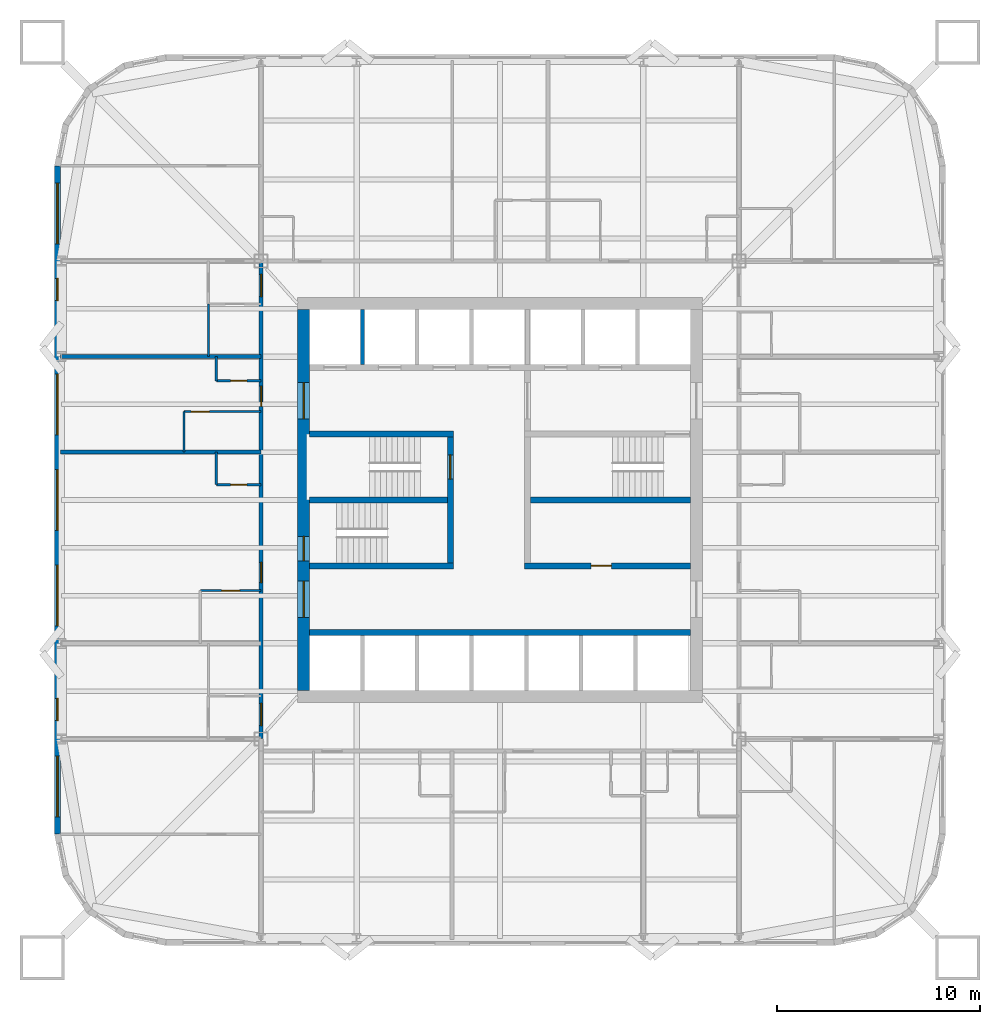
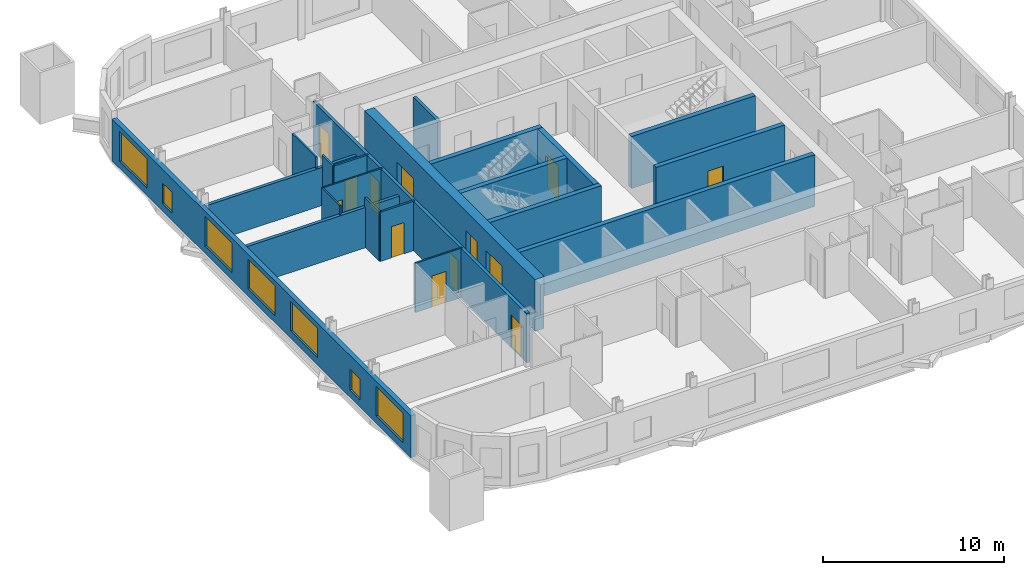
# One storey, part 4 of 9: 21 walls, 13 doors, 7 windows, 20 openings.
"""IFC4 building model written with IfcOpenShell, lengths in metres."""

from ifc_helpers import new_model, si_unit, direction, frame, frame_2d, origin, place, context, subcontext, project, spatial, rectangle, extrude, material, layer, layer_set, type_object, element, fill, save


model = new_model("IFC4")

# Units and contexts
model_context = context("Model", 3, precision=1e-05, world=origin(), true_north=direction((0.0, 1.0)))
body_context = subcontext(model_context, "Body", "Model", "MODEL_VIEW")
ifc_project = project(units=[si_unit("LENGTHUNIT", "METRE"), si_unit("AREAUNIT", "SQUARE_METRE"), si_unit("VOLUMEUNIT", "CUBIC_METRE"), si_unit("PLANEANGLEUNIT", "RADIAN"), si_unit("MASSUNIT", "GRAM", prefix="KILO")], contexts=[model_context])

# Site, building, storey
site_placement = place(None, origin())
site = spatial("IfcSite", under=ifc_project, at=site_placement, CompositionType="ELEMENT")
building_placement = place(site_placement, origin())
building = spatial("IfcBuilding", under=site, at=building_placement, Name="Turquesa Mirador Hotel Tower", CompositionType="ELEMENT")
storey_placement = place(building_placement, frame((0.0, 0.0, 67.0)))
storey = spatial("IfcBuildingStorey", under=building, at=storey_placement, Name="L17", CompositionType="ELEMENT", Elevation=67.0)

# Wall, opening, door
ifc_material_1 = material(Name="Gypsum board on steel studs", Category="steel")
ifc_layer_1 = layer(ifc_material_1, 0.10009765625)
ifc_layer_set_1 = layer_set([ifc_layer_1], Name="BATHROOM WALL 100")
wall_type_1 = type_object("IfcWallType", Name="BATHROOM WALL 100", PredefinedType="PARTITIONING", material=ifc_layer_set_1)
wall_1_placement = place(storey_placement, frame((40.199951171875, 40.52001953125, 0.0), z_axis=(0.0, 0.0, 1.0), x_axis=(1.0, 0.0, 0.0)))
wall_1 = element("IfcWall", 1, at=wall_1_placement, inside=storey, type_object=wall_type_1, Name="Partition L17 013", PredefinedType="PARTITIONING", context=body_context, shape_type="SweptSolid", body=[
    extrude(rectangle(XDim=3.0, YDim=0.10009765625, at=frame_2d((1.5, 0.0))), origin(), (0.0, 0.0, 1.0), 3.330078125),
])
opening_1_placement = place(wall_1_placement, frame((1.050048828125, 0.0, 0.0)))
opening_1 = element("IfcOpeningElement", 2, at=opening_1_placement, cuts=wall_1, Name="Opening D02", PredefinedType="OPENING", context=body_context, shape_type="SweptSolid", body=[
    extrude(rectangle(XDim=0.89990234375, YDim=2.10009765625, at=frame_2d((0.449951171875, 1.050048828125))), frame((0.0, 0.06005859375, 0.0), z_axis=(0.0, -1.0, 0.0), x_axis=(1.0, 0.0, 0.0)), (0.0, 0.0, 1.0), 0.1201171875),
])
ifc_material_2 = material(Name="Timber veneered door", Category="wood")
door_type_1 = type_object("IfcDoorType", Name="DOOR 900X2100 EN-SUITE", OperationType="SINGLE_SWING_RIGHT", PredefinedType="DOOR", material=ifc_material_2)
door_1_placement = place(opening_1_placement, origin())
door_1 = element("IfcDoor", 3, at=door_1_placement, inside=storey, type_object=door_type_1, Name="Door 1708B", OperationType="SINGLE_SWING_RIGHT", OverallHeight=2.10009765625, OverallWidth=0.89990234375, PredefinedType="DOOR", context=body_context, shape_type="SweptSolid", body=[
    extrude(rectangle(XDim=0.89990234375, YDim=2.10009765625, at=frame_2d((0.449951171875, 1.050048828125))), frame((0.0, 0.02490234375, 0.0), z_axis=(0.0, -1.0, 0.0), x_axis=(1.0, 0.0, 0.0)), (0.0, 0.0, 1.0), 0.050048828125),
])
fill(opening_1, door_1)

wall_2_placement = place(storey_placement, frame((39.39990234375, 49.360107421875, 0.0), z_axis=(0.0, 0.0, 1.0), x_axis=(1.0, 0.0, 0.0)))
wall_2 = element("IfcWall", 4, at=wall_2_placement, inside=storey, type_object=wall_type_1, Name="Partition L17 032", PredefinedType="PARTITIONING", context=body_context, shape_type="SweptSolid", body=[
    extrude(rectangle(XDim=3.800048828125, YDim=0.10009765625, at=frame_2d((1.89990234375, 0.0))), origin(), (0.0, 0.0, 1.0), 3.330078125),
])
opening_2_placement = place(wall_2_placement, frame((0.35009765625, 0.0, 0.0)))
opening_2 = element("IfcOpeningElement", 5, at=opening_2_placement, cuts=wall_2, Name="Opening D02", PredefinedType="OPENING", context=body_context, shape_type="SweptSolid", body=[
    extrude(rectangle(XDim=0.89990234375, YDim=2.10009765625, at=frame_2d((0.449951171875, 1.050048828125))), frame((0.0, 0.06005859375, 0.0), z_axis=(0.0, -1.0, 0.0), x_axis=(1.0, 0.0, 0.0)), (0.0, 0.0, 1.0), 0.1201171875),
])
door_2_placement = place(opening_2_placement, origin())
door_2 = element("IfcDoor", 6, at=door_2_placement, inside=storey, type_object=door_type_1, Name="Door 1709B", OperationType="SINGLE_SWING_RIGHT", OverallHeight=2.10009765625, OverallWidth=0.89990234375, PredefinedType="DOOR", context=body_context, shape_type="SweptSolid", body=[
    extrude(rectangle(XDim=0.89990234375, YDim=2.10009765625, at=frame_2d((0.449951171875, 1.050048828125))), frame((0.0, 0.02490234375, 0.0), z_axis=(0.0, -1.0, 0.0), x_axis=(1.0, 0.0, 0.0)), (0.0, 0.0, 1.0), 0.050048828125),
])
fill(opening_2, door_2)

# Walls
wall_3_placement = place(storey_placement, frame((40.60009765625, 52.080078125, 0.0), z_axis=(0.0, 0.0, 1.0), x_axis=(0.0, 1.0, 0.0)))
element("IfcWall", 7, at=wall_3_placement, inside=storey, type_object=wall_type_1, Name="Partition L17 047", PredefinedType="PARTITIONING", context=body_context, shape_type="SweptSolid", body=[
    extrude(rectangle(XDim=2.599853515625, YDim=0.10009765625, at=frame_2d((1.2998046875, 0.0))), origin(), (0.0, 0.0, 1.0), 3.330078125),
])
wall_4_placement = place(storey_placement, frame((39.39990234375, 47.360107421875, 0.0), z_axis=(0.0, 0.0, 1.0), x_axis=(0.0, 1.0, 0.0)))
element("IfcWall", 8, at=wall_4_placement, inside=storey, type_object=wall_type_1, Name="Partition L17 051", PredefinedType="PARTITIONING", context=body_context, shape_type="SweptSolid", body=[
    extrude(rectangle(XDim=2.0, YDim=0.10009765625, at=frame_2d((1.0, 0.0))), origin(), (0.0, 0.0, 1.0), 3.330078125),
])
ifc_material_3 = material(Name="Concrete C50/60", Category="concrete")
ifc_layer_2 = layer(ifc_material_3, 0.300048828125)
ifc_layer_set_2 = layer_set([ifc_layer_2], Name="CORE INNER WALL 300")
wall_type_2 = type_object("IfcWallType", Name="CORE INNER WALL 300", PredefinedType="SHEAR", material=ifc_layer_set_2)
wall_5_placement = place(storey_placement, frame((45.60009765625, 38.449951171875, 0.0), z_axis=(0.0, 0.0, 1.0), x_axis=(1.0, 0.0, 0.0)))
element("IfcWall", 9, at=wall_5_placement, inside=storey, type_object=wall_type_2, Name="Core wall SL", PredefinedType="SHEAR", context=body_context, shape_type="SweptSolid", body=[
    extrude(rectangle(XDim=18.7998046875, YDim=0.300048828125, at=frame_2d((9.39990234375, 0.0))), origin(), (0.0, 0.0, 1.0), 3.5),
])
for number, where, z_axis, x_axis, name in (
    (10, (45.60009765625, 48.25, 0.0), (0.0, 0.0, 1.0), (1.0, 0.0, 0.0), "Core wall MN-W"),
    (11, (45.60009765625, 41.75, 0.0), (0.0, 0.0, 1.0), (1.0, 0.0, 0.0), "Core wall MS-W"),
):
    element("IfcWall", number, at=place(storey_placement, frame(where, z_axis=z_axis, x_axis=x_axis)), inside=storey, type_object=wall_type_2, Name=name, PredefinedType="SHEAR", context=body_context, shape_type="SweptSolid", body=[
        extrude(rectangle(XDim=7.099853515625, YDim=0.300048828125, at=frame_2d((3.5498046875, 0.0))), origin(), (0.0, 0.0, 1.0), 3.5),
    ])

# Wall, opening, door
wall_6_placement = place(storey_placement, frame((56.199951171875, 41.75, 0.0), z_axis=(0.0, 0.0, 1.0), x_axis=(1.0, 0.0, 0.0)))
wall_6 = element("IfcWall", 12, at=wall_6_placement, inside=storey, type_object=wall_type_2, Name="Core wall MS-E", PredefinedType="SHEAR", context=body_context, shape_type="SweptSolid", body=[
    extrude(rectangle(XDim=8.199951171875, YDim=0.300048828125, at=frame_2d((4.10009765625, 0.0))), origin(), (0.0, 0.0, 1.0), 3.5),
])
opening_3_placement = place(wall_6_placement, frame((3.300048828125, 0.0, 0.0)))
opening_3 = element("IfcOpeningElement", 13, at=opening_3_placement, cuts=wall_6, Name="Opening D05", PredefinedType="OPENING", context=body_context, shape_type="SweptSolid", body=[
    extrude(rectangle(XDim=1.0, YDim=2.10009765625, at=frame_2d((0.5, 1.050048828125))), frame((0.0, 0.159912109375, 0.0), z_axis=(0.0, -1.0, 0.0), x_axis=(1.0, 0.0, 0.0)), (0.0, 0.0, 1.0), 0.320068359375),
])
ifc_material_4 = material(Name="Steel fire door", Category="steel")
door_type_2 = type_object("IfcDoorType", Name="DOOR 1000X2100 SERVICE", OperationType="SINGLE_SWING_LEFT", PredefinedType="DOOR", material=ifc_material_4)
door_3_placement = place(opening_3_placement, origin())
door_3 = element("IfcDoor", 14, at=door_3_placement, inside=storey, type_object=door_type_2, Name="Housekeeping room door", OperationType="SINGLE_SWING_LEFT", OverallHeight=2.10009765625, OverallWidth=1.0, PredefinedType="DOOR", context=body_context, shape_type="SweptSolid", body=[
    extrude(rectangle(XDim=1.0, YDim=2.10009765625, at=frame_2d((0.5, 1.050048828125))), frame((0.0, 0.02490234375, 0.0), z_axis=(0.0, -1.0, 0.0), x_axis=(1.0, 0.0, 0.0)), (0.0, 0.0, 1.0), 0.050048828125),
])
fill(opening_3, door_3)

wall_7_placement = place(storey_placement, frame((52.550048828125, 41.89990234375, 0.0), z_axis=(0.0, 0.0, 1.0), x_axis=(0.0, 1.0, 0.0)))
wall_7 = element("IfcWall", 15, at=wall_7_placement, inside=storey, type_object=wall_type_2, Name="Core wall PW", PredefinedType="SHEAR", context=body_context, shape_type="SweptSolid", body=[
    extrude(rectangle(XDim=6.2001953125, YDim=0.300048828125, at=frame_2d((3.10009765625, 0.0))), origin(), (0.0, 0.0, 1.0), 3.5),
])
opening_4_placement = place(wall_7_placement, frame((4.125, 0.0, 0.0)))
opening_4 = element("IfcOpeningElement", 16, at=opening_4_placement, cuts=wall_7, Name="Opening D03", PredefinedType="OPENING", context=body_context, shape_type="SweptSolid", body=[
    extrude(rectangle(XDim=1.199951171875, YDim=2.199951171875, at=frame_2d((0.60009765625, 1.10009765625))), frame((0.0, 0.159912109375, 0.0), z_axis=(0.0, -1.0, 0.0), x_axis=(1.0, 0.0, 0.0)), (0.0, 0.0, 1.0), 0.320068359375),
])
ifc_material_5 = material(Name="Steel fire door", Category="steel")
door_type_3 = type_object("IfcDoorType", Name="DOOR 1200X2200 STAIR", OperationType="SINGLE_SWING_LEFT", PredefinedType="DOOR", material=ifc_material_5)
door_4_placement = place(opening_4_placement, origin())
door_4 = element("IfcDoor", 17, at=door_4_placement, inside=storey, type_object=door_type_3, Name="Stair ST1 door", OperationType="SINGLE_SWING_LEFT", OverallHeight=2.199951171875, OverallWidth=1.199951171875, PredefinedType="DOOR", context=body_context, shape_type="SweptSolid", body=[
    extrude(rectangle(XDim=1.199951171875, YDim=2.199951171875, at=frame_2d((0.60009765625, 1.10009765625))), frame((0.0, 0.02490234375, 0.0), z_axis=(0.0, -1.0, 0.0), x_axis=(1.0, 0.0, 0.0)), (0.0, 0.0, 1.0), 0.050048828125),
])
fill(opening_4, door_4)

# Walls
wall_8_placement = place(storey_placement, frame((45.60009765625, 45.0, 0.0), z_axis=(0.0, 0.0, 1.0), x_axis=(1.0, 0.0, 0.0)))
element("IfcWall", 18, at=wall_8_placement, inside=storey, type_object=wall_type_2, Name="Core wall M0-W", PredefinedType="SHEAR", context=body_context, shape_type="SweptSolid", body=[
    extrude(rectangle(XDim=6.7998046875, YDim=0.300048828125, at=frame_2d((3.39990234375, 0.0))), origin(), (0.0, 0.0, 1.0), 3.5),
])
wall_9_placement = place(storey_placement, frame((56.5, 45.0, 0.0), z_axis=(0.0, 0.0, 1.0), x_axis=(1.0, 0.0, 0.0)))
element("IfcWall", 19, at=wall_9_placement, inside=storey, type_object=wall_type_2, Name="Core wall M0-E", PredefinedType="SHEAR", context=body_context, shape_type="SweptSolid", body=[
    extrude(rectangle(XDim=7.89990234375, YDim=0.300048828125, at=frame_2d((3.949951171875, 0.0))), origin(), (0.0, 0.0, 1.0), 3.5),
])

# Wall, openings, doors
ifc_material_6 = material(Name="Concrete C50/60", Category="concrete")
ifc_layer_3 = layer(ifc_material_6, 0.60009765625)
ifc_layer_set_3 = layer_set([ifc_layer_3], Name="CORE WALL 600")
wall_type_3 = type_object("IfcWallType", Name="CORE WALL 600", PredefinedType="SHEAR", material=ifc_layer_set_3)
wall_10_placement = place(storey_placement, frame((45.300048828125, 35.60009765625, 0.0), z_axis=(0.0, 0.0, 1.0), x_axis=(0.0, 1.0, 0.0)))
wall_10 = element("IfcWall", 20, at=wall_10_placement, inside=storey, type_object=wall_type_3, Name="Core wall W", PredefinedType="SHEAR", context=body_context, shape_type="SweptSolid", body=[
    extrude(rectangle(XDim=18.7998046875, YDim=0.60009765625, at=frame_2d((9.39990234375, 0.0))), origin(), (0.0, 0.0, 1.0), 3.5),
])
opening_5_placement = place(wall_10_placement, frame((13.39990234375, 0.0, 0.0)))
opening_5 = element("IfcOpeningElement", 21, at=opening_5_placement, cuts=wall_10, Name="Opening D04", PredefinedType="OPENING", context=body_context, shape_type="SweptSolid", body=[
    extrude(rectangle(XDim=1.800048828125, YDim=2.199951171875, at=frame_2d((0.89990234375, 1.10009765625))), frame((0.0, 0.31005859375, 0.0), z_axis=(0.0, -1.0, 0.0), x_axis=(1.0, 0.0, 0.0)), (0.0, 0.0, 1.0), 0.6201171875),
])
opening_6_placement = place(wall_10_placement, frame((3.60009765625, 0.0, 0.0)))
opening_6 = element("IfcOpeningElement", 22, at=opening_6_placement, cuts=wall_10, Name="Opening D04", PredefinedType="OPENING", context=body_context, shape_type="SweptSolid", body=[
    extrude(rectangle(XDim=1.800048828125, YDim=2.199951171875, at=frame_2d((0.89990234375, 1.10009765625))), frame((0.0, 0.31005859375, 0.0), z_axis=(0.0, -1.0, 0.0), x_axis=(1.0, 0.0, 0.0)), (0.0, 0.0, 1.0), 0.6201171875),
])
opening_7_placement = place(wall_10_placement, frame((6.39990234375, 0.0, 0.0)))
opening_7 = element("IfcOpeningElement", 23, at=opening_7_placement, cuts=wall_10, Name="Opening D03", PredefinedType="OPENING", context=body_context, shape_type="SweptSolid", body=[
    extrude(rectangle(XDim=1.199951171875, YDim=2.199951171875, at=frame_2d((0.60009765625, 1.10009765625))), frame((0.0, 0.31005859375, 0.0), z_axis=(0.0, -1.0, 0.0), x_axis=(1.0, 0.0, 0.0)), (0.0, 0.0, 1.0), 0.6201171875),
])
door_5_placement = place(opening_7_placement, origin())
door_5 = element("IfcDoor", 24, at=door_5_placement, inside=storey, type_object=door_type_3, Name="Stair ST2 door", OperationType="SINGLE_SWING_LEFT", OverallHeight=2.199951171875, OverallWidth=1.199951171875, PredefinedType="DOOR", context=body_context, shape_type="SweptSolid", body=[
    extrude(rectangle(XDim=1.199951171875, YDim=2.199951171875, at=frame_2d((0.60009765625, 1.10009765625))), frame((0.0, 0.02490234375, 0.0), z_axis=(0.0, -1.0, 0.0), x_axis=(1.0, 0.0, 0.0)), (0.0, 0.0, 1.0), 0.050048828125),
])
fill(opening_7, door_5)
ifc_material_7 = material(Name="Steel fire door pair", Category="steel")
door_type_4 = type_object("IfcDoorType", Name="DOOR 1800X2200 PAIR", OperationType="DOUBLE_DOOR_SINGLE_SWING", PredefinedType="DOOR", material=ifc_material_7)
door_6_placement = place(opening_5_placement, origin())
door_6 = element("IfcDoor", 25, at=door_6_placement, inside=storey, type_object=door_type_4, Name="North lift lobby door", OperationType="DOUBLE_DOOR_SINGLE_SWING", OverallHeight=2.199951171875, OverallWidth=1.800048828125, PredefinedType="DOOR", context=body_context, shape_type="SweptSolid", body=[
    extrude(rectangle(XDim=1.800048828125, YDim=2.199951171875, at=frame_2d((0.89990234375, 1.10009765625))), frame((0.0, 0.02490234375, 0.0), z_axis=(0.0, -1.0, 0.0), x_axis=(1.0, 0.0, 0.0)), (0.0, 0.0, 1.0), 0.050048828125),
])
fill(opening_5, door_6)
door_7_placement = place(opening_6_placement, origin())
door_7 = element("IfcDoor", 26, at=door_7_placement, inside=storey, type_object=door_type_4, Name="South lift lobby door", OperationType="DOUBLE_DOOR_SINGLE_SWING", OverallHeight=2.199951171875, OverallWidth=1.800048828125, PredefinedType="DOOR", context=body_context, shape_type="SweptSolid", body=[
    extrude(rectangle(XDim=1.800048828125, YDim=2.199951171875, at=frame_2d((0.89990234375, 1.10009765625))), frame((0.0, 0.02490234375, 0.0), z_axis=(0.0, -1.0, 0.0), x_axis=(1.0, 0.0, 0.0)), (0.0, 0.0, 1.0), 0.050048828125),
])
fill(opening_6, door_7)

ifc_material_8 = material(Name="Fire-rated gypsum board on steel studs", Category="steel")
ifc_layer_4 = layer(ifc_material_8, 0.199951171875)
ifc_layer_set_4 = layer_set([ifc_layer_4], Name="CORRIDOR WALL 200")
wall_type_4 = type_object("IfcWallType", Name="CORRIDOR WALL 200", PredefinedType="PARTITIONING", material=ifc_layer_set_4)
wall_11_placement = place(storey_placement, frame((43.199951171875, 33.219970703125, 0.0), z_axis=(0.0, 0.0, 1.0), x_axis=(0.0, 1.0, 0.0)))
wall_11 = element("IfcWall", 27, at=wall_11_placement, inside=storey, type_object=wall_type_4, Name="Partition L17 041", PredefinedType="PARTITIONING", context=body_context, shape_type="SweptSolid", body=[
    extrude(rectangle(XDim=23.580078125, YDim=0.199951171875, at=frame_2d((11.7900390625, 0.0))), origin(), (0.0, 0.0, 1.0), 3.330078125),
])
opening_8_placement = place(wall_11_placement, frame((7.699951171875, 0.0, 0.0)))
opening_8 = element("IfcOpeningElement", 28, at=opening_8_placement, cuts=wall_11, Name="Opening D01", PredefinedType="OPENING", context=body_context, shape_type="SweptSolid", body=[
    extrude(rectangle(XDim=1.0, YDim=2.199951171875, at=frame_2d((0.5, 1.10009765625))), frame((0.0, 0.10986328125, 0.0), z_axis=(0.0, -1.0, 0.0), x_axis=(1.0, 0.0, 0.0)), (0.0, 0.0, 1.0), 0.219970703125),
])
opening_9_placement = place(wall_11_placement, frame((16.39990234375, 0.0, 0.0)))
opening_9 = element("IfcOpeningElement", 29, at=opening_9_placement, cuts=wall_11, Name="Opening D01", PredefinedType="OPENING", context=body_context, shape_type="SweptSolid", body=[
    extrude(rectangle(XDim=1.0, YDim=2.199951171875, at=frame_2d((0.5, 1.10009765625))), frame((0.0, 0.10986328125, 0.0), z_axis=(0.0, -1.0, 0.0), x_axis=(1.0, 0.0, 0.0)), (0.0, 0.0, 1.0), 0.219970703125),
])
opening_10_placement = place(wall_11_placement, frame((21.820068359375, 0.0, 0.0)))
opening_10 = element("IfcOpeningElement", 30, at=opening_10_placement, cuts=wall_11, Name="Opening D15", PredefinedType="OPENING", context=body_context, shape_type="SweptSolid", body=[
    extrude(rectangle(XDim=1.10009765625, YDim=2.199951171875, at=frame_2d((0.550048828125, 1.10009765625))), frame((0.0, 0.10986328125, 0.0), z_axis=(0.0, -1.0, 0.0), x_axis=(1.0, 0.0, 0.0)), (0.0, 0.0, 1.0), 0.219970703125),
])
opening_11_placement = place(wall_11_placement, frame((0.639892578125, 0.0, 0.0)))
opening_11 = element("IfcOpeningElement", 31, at=opening_11_placement, cuts=wall_11, Name="Opening D15", PredefinedType="OPENING", context=body_context, shape_type="SweptSolid", body=[
    extrude(rectangle(XDim=1.10009765625, YDim=2.199951171875, at=frame_2d((0.550048828125, 1.10009765625))), frame((0.0, 0.10986328125, 0.0), z_axis=(0.0, -1.0, 0.0), x_axis=(1.0, 0.0, 0.0)), (0.0, 0.0, 1.0), 0.219970703125),
])
ifc_material_9 = material(Name="Timber veneered fire door", Category="wood")
door_type_5 = type_object("IfcDoorType", Name="DOOR 1000X2200 GUEST ENTRY", OperationType="SINGLE_SWING_LEFT", PredefinedType="DOOR", material=ifc_material_9)
door_8_placement = place(opening_8_placement, origin())
door_8 = element("IfcDoor", 32, at=door_8_placement, inside=storey, type_object=door_type_5, Name="Door 1708", OperationType="SINGLE_SWING_LEFT", OverallHeight=2.199951171875, OverallWidth=1.0, PredefinedType="DOOR", context=body_context, shape_type="SweptSolid", body=[
    extrude(rectangle(XDim=1.0, YDim=2.199951171875, at=frame_2d((0.5, 1.10009765625))), frame((0.0, 0.02490234375, 0.0), z_axis=(0.0, -1.0, 0.0), x_axis=(1.0, 0.0, 0.0)), (0.0, 0.0, 1.0), 0.050048828125),
])
fill(opening_8, door_8)
door_9_placement = place(opening_9_placement, origin())
door_9 = element("IfcDoor", 33, at=door_9_placement, inside=storey, type_object=door_type_5, Name="Door 1709", OperationType="SINGLE_SWING_LEFT", OverallHeight=2.199951171875, OverallWidth=1.0, PredefinedType="DOOR", context=body_context, shape_type="SweptSolid", body=[
    extrude(rectangle(XDim=1.0, YDim=2.199951171875, at=frame_2d((0.5, 1.10009765625))), frame((0.0, 0.02490234375, 0.0), z_axis=(0.0, -1.0, 0.0), x_axis=(1.0, 0.0, 0.0)), (0.0, 0.0, 1.0), 0.050048828125),
])
fill(opening_9, door_9)
ifc_material_10 = material(Name="Timber veneered fire door", Category="wood")
door_type_6 = type_object("IfcDoorType", Name="DOOR 1100X2200 SUITE ENTRY", OperationType="SINGLE_SWING_LEFT", PredefinedType="DOOR", material=ifc_material_10)
door_10_placement = place(opening_10_placement, origin())
door_10 = element("IfcDoor", 34, at=door_10_placement, inside=storey, type_object=door_type_6, Name="Door 1711H", OperationType="SINGLE_SWING_LEFT", OverallHeight=2.199951171875, OverallWidth=1.10009765625, PredefinedType="DOOR", context=body_context, shape_type="SweptSolid", body=[
    extrude(rectangle(XDim=1.10009765625, YDim=2.199951171875, at=frame_2d((0.550048828125, 1.10009765625))), frame((0.0, 0.02490234375, 0.0), z_axis=(0.0, -1.0, 0.0), x_axis=(1.0, 0.0, 0.0)), (0.0, 0.0, 1.0), 0.050048828125),
])
fill(opening_10, door_10)
door_11_placement = place(opening_11_placement, origin())
door_11 = element("IfcDoor", 35, at=door_11_placement, inside=storey, type_object=door_type_6, Name="Door 1712H", OperationType="SINGLE_SWING_LEFT", OverallHeight=2.199951171875, OverallWidth=1.10009765625, PredefinedType="DOOR", context=body_context, shape_type="SweptSolid", body=[
    extrude(rectangle(XDim=1.10009765625, YDim=2.199951171875, at=frame_2d((0.550048828125, 1.10009765625))), frame((0.0, 0.02490234375, 0.0), z_axis=(0.0, -1.0, 0.0), x_axis=(1.0, 0.0, 0.0)), (0.0, 0.0, 1.0), 0.050048828125),
])
fill(opening_11, door_11)

# Wall, openings, windows
ifc_material_11 = material(Name="Limestone cladding on concrete block", Category="masonry")
ifc_layer_5 = layer(ifc_material_11, 0.300048828125)
ifc_layer_set_5 = layer_set([ifc_layer_5], Name="FACADE WALL 300 STONE SCREEN")
wall_type_5 = type_object("IfcWallType", Name="FACADE WALL 300 STONE SCREEN", PredefinedType="SOLIDWALL", material=ifc_layer_set_5)
wall_12_placement = place(storey_placement, frame((33.14990234375, 61.5, 0.0), z_axis=(0.0, 0.0, 1.0), x_axis=(0.0, -1.0, 0.0)))
wall_12 = element("IfcWall", 36, at=wall_12_placement, inside=storey, type_object=wall_type_5, Name="Facade wall L17 14", PredefinedType="SOLIDWALL", context=body_context, shape_type="SweptSolid", body=[
    extrude(rectangle(XDim=33.0, YDim=0.300048828125, at=frame_2d((16.5, 0.0))), origin(), (0.0, 0.0, 1.0), 2.830078125),
])
opening_12_placement = place(wall_12_placement, frame((0.85009765625, 0.0, 0.5)))
opening_12 = element("IfcOpeningElement", 37, at=opening_12_placement, cuts=wall_12, Name="Opening WN1", PredefinedType="OPENING", context=body_context, shape_type="SweptSolid", body=[
    extrude(rectangle(XDim=3.0, YDim=2.0, at=frame_2d((1.5, 1.0))), frame((0.0, 0.159912109375, 0.0), z_axis=(0.0, -1.0, 0.0), x_axis=(1.0, 0.0, 0.0)), (0.0, 0.0, 1.0), 0.320068359375),
])
opening_13_placement = place(wall_12_placement, frame((5.56005859375, 0.0, 0.5)))
opening_13 = element("IfcOpeningElement", 38, at=opening_13_placement, cuts=wall_12, Name="Opening WN37", PredefinedType="OPENING", context=body_context, shape_type="SweptSolid", body=[
    extrude(rectangle(XDim=1.10009765625, YDim=1.39990234375, at=frame_2d((0.550048828125, 0.699951171875))), frame((0.0, 0.159912109375, 0.0), z_axis=(0.0, -1.0, 0.0), x_axis=(1.0, 0.0, 0.0)), (0.0, 0.0, 1.0), 0.320068359375),
])
opening_14_placement = place(wall_12_placement, frame((10.280029296875, 0.0, 0.5)))
opening_14 = element("IfcOpeningElement", 39, at=opening_14_placement, cuts=wall_12, Name="Opening WN1", PredefinedType="OPENING", context=body_context, shape_type="SweptSolid", body=[
    extrude(rectangle(XDim=3.0, YDim=2.0, at=frame_2d((1.5, 1.0))), frame((0.0, 0.159912109375, 0.0), z_axis=(0.0, -1.0, 0.0), x_axis=(1.0, 0.0, 0.0)), (0.0, 0.0, 1.0), 0.320068359375),
])
opening_15_placement = place(wall_12_placement, frame((15.0, 0.0, 0.5)))
opening_15 = element("IfcOpeningElement", 40, at=opening_15_placement, cuts=wall_12, Name="Opening WN1", PredefinedType="OPENING", context=body_context, shape_type="SweptSolid", body=[
    extrude(rectangle(XDim=3.0, YDim=2.0, at=frame_2d((1.5, 1.0))), frame((0.0, 0.159912109375, 0.0), z_axis=(0.0, -1.0, 0.0), x_axis=(1.0, 0.0, 0.0)), (0.0, 0.0, 1.0), 0.320068359375),
])
opening_16_placement = place(wall_12_placement, frame((19.719970703125, 0.0, 0.5)))
opening_16 = element("IfcOpeningElement", 41, at=opening_16_placement, cuts=wall_12, Name="Opening WN1", PredefinedType="OPENING", context=body_context, shape_type="SweptSolid", body=[
    extrude(rectangle(XDim=3.0, YDim=2.0, at=frame_2d((1.5, 1.0))), frame((0.0, 0.159912109375, 0.0), z_axis=(0.0, -1.0, 0.0), x_axis=(1.0, 0.0, 0.0)), (0.0, 0.0, 1.0), 0.320068359375),
])
opening_17_placement = place(wall_12_placement, frame((26.2900390625, 0.0, 0.5)))
opening_17 = element("IfcOpeningElement", 42, at=opening_17_placement, cuts=wall_12, Name="Opening WN37", PredefinedType="OPENING", context=body_context, shape_type="SweptSolid", body=[
    extrude(rectangle(XDim=1.10009765625, YDim=1.39990234375, at=frame_2d((0.550048828125, 0.699951171875))), frame((0.0, 0.159912109375, 0.0), z_axis=(0.0, -1.0, 0.0), x_axis=(1.0, 0.0, 0.0)), (0.0, 0.0, 1.0), 0.320068359375),
])
opening_18_placement = place(wall_12_placement, frame((29.14990234375, 0.0, 0.5)))
opening_18 = element("IfcOpeningElement", 43, at=opening_18_placement, cuts=wall_12, Name="Opening WN1", PredefinedType="OPENING", context=body_context, shape_type="SweptSolid", body=[
    extrude(rectangle(XDim=3.0, YDim=2.0, at=frame_2d((1.5, 1.0))), frame((0.0, 0.159912109375, 0.0), z_axis=(0.0, -1.0, 0.0), x_axis=(1.0, 0.0, 0.0)), (0.0, 0.0, 1.0), 0.320068359375),
])
ifc_material_12 = material(Name="Ceramic-fritted laminated glass", Category="glass")
window_type_1 = type_object("IfcWindowType", Name="FRITTED WINDOW 1100X1400", PartitioningType="DOUBLE_PANEL_HORIZONTAL", PredefinedType="WINDOW", material=ifc_material_12)
window_1_placement = place(opening_13_placement, origin())
window_1 = element("IfcWindow", 44, at=window_1_placement, inside=storey, type_object=window_type_1, Name="Window L17", OverallHeight=1.39990234375, OverallWidth=1.10009765625, PartitioningType="SINGLE_PANEL", PredefinedType="WINDOW", context=body_context, shape_type="SweptSolid", body=[
    extrude(rectangle(XDim=1.10009765625, YDim=1.39990234375, at=frame_2d((0.550048828125, 0.699951171875))), frame((0.0, 0.030029296875, 0.0), z_axis=(0.0, -1.0, 0.0), x_axis=(1.0, 0.0, 0.0)), (0.0, 0.0, 1.0), 0.06005859375),
])
fill(opening_13, window_1)
window_2_placement = place(opening_17_placement, origin())
window_2 = element("IfcWindow", 45, at=window_2_placement, inside=storey, type_object=window_type_1, Name="Window L17", OverallHeight=1.39990234375, OverallWidth=1.10009765625, PartitioningType="SINGLE_PANEL", PredefinedType="WINDOW", context=body_context, shape_type="SweptSolid", body=[
    extrude(rectangle(XDim=1.10009765625, YDim=1.39990234375, at=frame_2d((0.550048828125, 0.699951171875))), frame((0.0, 0.030029296875, 0.0), z_axis=(0.0, -1.0, 0.0), x_axis=(1.0, 0.0, 0.0)), (0.0, 0.0, 1.0), 0.06005859375),
])
fill(opening_17, window_2)
ifc_material_13 = material(Name="Ceramic-fritted laminated glass", Category="glass")
window_type_2 = type_object("IfcWindowType", Name="FRITTED WINDOW 3000X2000", PartitioningType="DOUBLE_PANEL_HORIZONTAL", PredefinedType="WINDOW", material=ifc_material_13)
window_3_placement = place(opening_12_placement, origin())
window_3 = element("IfcWindow", 46, at=window_3_placement, inside=storey, type_object=window_type_2, Name="Window L17", OverallHeight=2.0, OverallWidth=3.0, PartitioningType="SINGLE_PANEL", PredefinedType="WINDOW", context=body_context, shape_type="SweptSolid", body=[
    extrude(rectangle(XDim=3.0, YDim=2.0, at=frame_2d((1.5, 1.0))), frame((0.0, 0.030029296875, 0.0), z_axis=(0.0, -1.0, 0.0), x_axis=(1.0, 0.0, 0.0)), (0.0, 0.0, 1.0), 0.06005859375),
])
fill(opening_12, window_3)
window_4_placement = place(opening_14_placement, origin())
window_4 = element("IfcWindow", 47, at=window_4_placement, inside=storey, type_object=window_type_2, Name="Window L17", OverallHeight=2.0, OverallWidth=3.0, PartitioningType="SINGLE_PANEL", PredefinedType="WINDOW", context=body_context, shape_type="SweptSolid", body=[
    extrude(rectangle(XDim=3.0, YDim=2.0, at=frame_2d((1.5, 1.0))), frame((0.0, 0.030029296875, 0.0), z_axis=(0.0, -1.0, 0.0), x_axis=(1.0, 0.0, 0.0)), (0.0, 0.0, 1.0), 0.06005859375),
])
fill(opening_14, window_4)
window_5_placement = place(opening_15_placement, origin())
window_5 = element("IfcWindow", 48, at=window_5_placement, inside=storey, type_object=window_type_2, Name="Window L17", OverallHeight=2.0, OverallWidth=3.0, PartitioningType="SINGLE_PANEL", PredefinedType="WINDOW", context=body_context, shape_type="SweptSolid", body=[
    extrude(rectangle(XDim=3.0, YDim=2.0, at=frame_2d((1.5, 1.0))), frame((0.0, 0.030029296875, 0.0), z_axis=(0.0, -1.0, 0.0), x_axis=(1.0, 0.0, 0.0)), (0.0, 0.0, 1.0), 0.06005859375),
])
fill(opening_15, window_5)
window_6_placement = place(opening_16_placement, origin())
window_6 = element("IfcWindow", 49, at=window_6_placement, inside=storey, type_object=window_type_2, Name="Window L17", OverallHeight=2.0, OverallWidth=3.0, PartitioningType="SINGLE_PANEL", PredefinedType="WINDOW", context=body_context, shape_type="SweptSolid", body=[
    extrude(rectangle(XDim=3.0, YDim=2.0, at=frame_2d((1.5, 1.0))), frame((0.0, 0.030029296875, 0.0), z_axis=(0.0, -1.0, 0.0), x_axis=(1.0, 0.0, 0.0)), (0.0, 0.0, 1.0), 0.06005859375),
])
fill(opening_16, window_6)
window_7_placement = place(opening_18_placement, origin())
window_7 = element("IfcWindow", 50, at=window_7_placement, inside=storey, type_object=window_type_2, Name="Window L17", OverallHeight=2.0, OverallWidth=3.0, PartitioningType="SINGLE_PANEL", PredefinedType="WINDOW", context=body_context, shape_type="SweptSolid", body=[
    extrude(rectangle(XDim=3.0, YDim=2.0, at=frame_2d((1.5, 1.0))), frame((0.0, 0.030029296875, 0.0), z_axis=(0.0, -1.0, 0.0), x_axis=(1.0, 0.0, 0.0)), (0.0, 0.0, 1.0), 0.06005859375),
])
fill(opening_18, window_7)

# Walls
ifc_material_14 = material(Name="Fire-rated gypsum shaft wall on steel studs", Category="steel")
ifc_layer_6 = layer(ifc_material_14, 0.199951171875)
ifc_layer_set_6 = layer_set([ifc_layer_6], Name="LIFT SHAFT DIVIDER 200")
wall_type_6 = type_object("IfcWallType", Name="LIFT SHAFT DIVIDER 200", PredefinedType="PARTITIONING", material=ifc_layer_set_6)
wall_13_placement = place(storey_placement, frame((48.199951171875, 51.699951171875, 0.0), z_axis=(0.0, 0.0, 1.0), x_axis=(0.0, 1.0, 0.0)))
element("IfcWall", 51, at=wall_13_placement, inside=storey, type_object=wall_type_6, Name="Lift shaft divider", PredefinedType="PARTITIONING", context=body_context, shape_type="SweptSolid", body=[
    extrude(rectangle(XDim=2.699951171875, YDim=0.199951171875, at=frame_2d((1.35009765625, 0.0))), origin(), (0.0, 0.0, 1.0), 3.330078125),
])
ifc_material_15 = material(Name="Fire-rated gypsum board on steel studs", Category="steel")
ifc_layer_7 = layer(ifc_material_15, 0.199951171875)
ifc_layer_set_7 = layer_set([ifc_layer_7], Name="PARTY WALL 200")
wall_type_7 = type_object("IfcWallType", Name="PARTY WALL 200", PredefinedType="PARTITIONING", material=ifc_layer_set_7)
wall_14_placement = place(storey_placement, frame((33.300048828125, 47.360107421875, 0.0), z_axis=(0.0, 0.0, 1.0), x_axis=(1.0, 0.0, 0.0)))
element("IfcWall", 52, at=wall_14_placement, inside=storey, type_object=wall_type_7, Name="Partition L17 030", PredefinedType="PARTITIONING", context=body_context, shape_type="SweptSolid", body=[
    extrude(rectangle(XDim=9.89990234375, YDim=0.199951171875, at=frame_2d((4.949951171875, 0.0))), origin(), (0.0, 0.0, 1.0), 2.722900390625),
])
wall_15_placement = place(storey_placement, frame((33.300048828125, 52.080078125, 0.0), z_axis=(0.0, 0.0, 1.0), x_axis=(1.0, 0.0, 0.0)))
element("IfcWall", 53, at=wall_15_placement, inside=storey, type_object=wall_type_7, Name="Partition L17 035", PredefinedType="PARTITIONING", context=body_context, shape_type="SweptSolid", body=[
    extrude(rectangle(XDim=9.89990234375, YDim=0.199951171875, at=frame_2d((4.949951171875, 0.0))), origin(), (0.0, 0.0, 1.0), 2.572998046875),
])

# Wall, opening, door
ifc_material_16 = material(Name="Acoustic gypsum board on steel studs", Category="steel")
ifc_layer_8 = layer(ifc_material_16, 0.125)
ifc_layer_set_8 = layer_set([ifc_layer_8], Name="SUITE PARTITION 125")
wall_type_8 = type_object("IfcWallType", Name="SUITE PARTITION 125", PredefinedType="PARTITIONING", material=ifc_layer_set_8)
wall_16_placement = place(storey_placement, frame((41.0, 45.760009765625, 0.0), z_axis=(0.0, 0.0, 1.0), x_axis=(1.0, 0.0, 0.0)))
wall_16 = element("IfcWall", 54, at=wall_16_placement, inside=storey, type_object=wall_type_8, Name="Partition L17 019", PredefinedType="PARTITIONING", context=body_context, shape_type="SweptSolid", body=[
    extrude(rectangle(XDim=2.199951171875, YDim=0.125, at=frame_2d((1.10009765625, 0.0))), origin(), (0.0, 0.0, 1.0), 3.330078125),
])
opening_19_placement = place(wall_16_placement, frame((0.699951171875, 0.0, 0.0)))
opening_19 = element("IfcOpeningElement", 55, at=opening_19_placement, cuts=wall_16, Name="Opening D20", PredefinedType="OPENING", context=body_context, shape_type="SweptSolid", body=[
    extrude(rectangle(XDim=0.800048828125, YDim=2.10009765625, at=frame_2d((0.39990234375, 1.050048828125))), frame((0.0, 0.072509765625, 0.0), z_axis=(0.0, -1.0, 0.0), x_axis=(1.0, 0.0, 0.0)), (0.0, 0.0, 1.0), 0.14501953125),
])
ifc_material_17 = material(Name="Timber veneered sliding door", Category="wood")
door_type_7 = type_object("IfcDoorType", Name="DOOR 800X2100 WARDROBE", OperationType="SLIDING_TO_LEFT", PredefinedType="DOOR", material=ifc_material_17)
door_12_placement = place(opening_19_placement, origin())
door_12 = element("IfcDoor", 56, at=door_12_placement, inside=storey, type_object=door_type_7, Name="Door 1708W", OperationType="SLIDING_TO_LEFT", OverallHeight=2.10009765625, OverallWidth=0.800048828125, PredefinedType="DOOR", context=body_context, shape_type="SweptSolid", body=[
    extrude(rectangle(XDim=0.800048828125, YDim=2.10009765625, at=frame_2d((0.39990234375, 1.050048828125))), frame((0.0, 0.02490234375, 0.0), z_axis=(0.0, -1.0, 0.0), x_axis=(1.0, 0.0, 0.0)), (0.0, 0.0, 1.0), 0.050048828125),
])
fill(opening_19, door_12)

wall_17_placement = place(storey_placement, frame((41.0, 50.8798828125, 0.0), z_axis=(0.0, 0.0, 1.0), x_axis=(1.0, 0.0, 0.0)))
wall_17 = element("IfcWall", 57, at=wall_17_placement, inside=storey, type_object=wall_type_8, Name="Partition L17 034", PredefinedType="PARTITIONING", context=body_context, shape_type="SweptSolid", body=[
    extrude(rectangle(XDim=2.199951171875, YDim=0.125, at=frame_2d((1.10009765625, 0.0))), origin(), (0.0, 0.0, 1.0), 3.330078125),
])
opening_20_placement = place(wall_17_placement, frame((0.699951171875, 0.0, 0.0)))
opening_20 = element("IfcOpeningElement", 58, at=opening_20_placement, cuts=wall_17, Name="Opening D20", PredefinedType="OPENING", context=body_context, shape_type="SweptSolid", body=[
    extrude(rectangle(XDim=0.800048828125, YDim=2.10009765625, at=frame_2d((0.39990234375, 1.050048828125))), frame((0.0, 0.072509765625, 0.0), z_axis=(0.0, -1.0, 0.0), x_axis=(1.0, 0.0, 0.0)), (0.0, 0.0, 1.0), 0.14501953125),
])
door_13_placement = place(opening_20_placement, origin())
door_13 = element("IfcDoor", 59, at=door_13_placement, inside=storey, type_object=door_type_7, Name="Door 1709W", OperationType="SLIDING_TO_LEFT", OverallHeight=2.10009765625, OverallWidth=0.800048828125, PredefinedType="DOOR", context=body_context, shape_type="SweptSolid", body=[
    extrude(rectangle(XDim=0.800048828125, YDim=2.10009765625, at=frame_2d((0.39990234375, 1.050048828125))), frame((0.0, 0.02490234375, 0.0), z_axis=(0.0, -1.0, 0.0), x_axis=(1.0, 0.0, 0.0)), (0.0, 0.0, 1.0), 0.050048828125),
])
fill(opening_20, door_13)

# Walls
wall_18_placement = place(storey_placement, frame((41.0, 45.760009765625, 0.0), z_axis=(0.0, 0.0, 1.0), x_axis=(0.0, 1.0, 0.0)))
element("IfcWall", 60, at=wall_18_placement, inside=storey, type_object=wall_type_8, Name="Partition L17 044", PredefinedType="PARTITIONING", context=body_context, shape_type="SweptSolid", body=[
    extrude(rectangle(XDim=1.60009765625, YDim=0.125, at=frame_2d((0.800048828125, 0.0))), origin(), (0.0, 0.0, 1.0), 3.330078125),
])
wall_19_placement = place(storey_placement, frame((41.0, 50.8798828125, 0.0), z_axis=(0.0, 0.0, 1.0), x_axis=(0.0, 1.0, 0.0)))
element("IfcWall", 61, at=wall_19_placement, inside=storey, type_object=wall_type_8, Name="Partition L17 045", PredefinedType="PARTITIONING", context=body_context, shape_type="SweptSolid", body=[
    extrude(rectangle(XDim=1.2001953125, YDim=0.125, at=frame_2d((0.60009765625, 0.0))), origin(), (0.0, 0.0, 1.0), 3.330078125),
])

save(model, "model.ifc")
